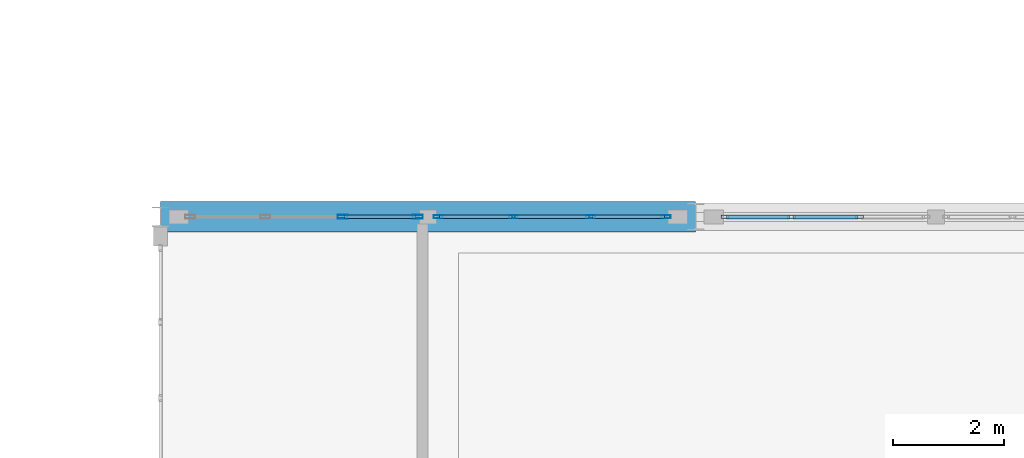
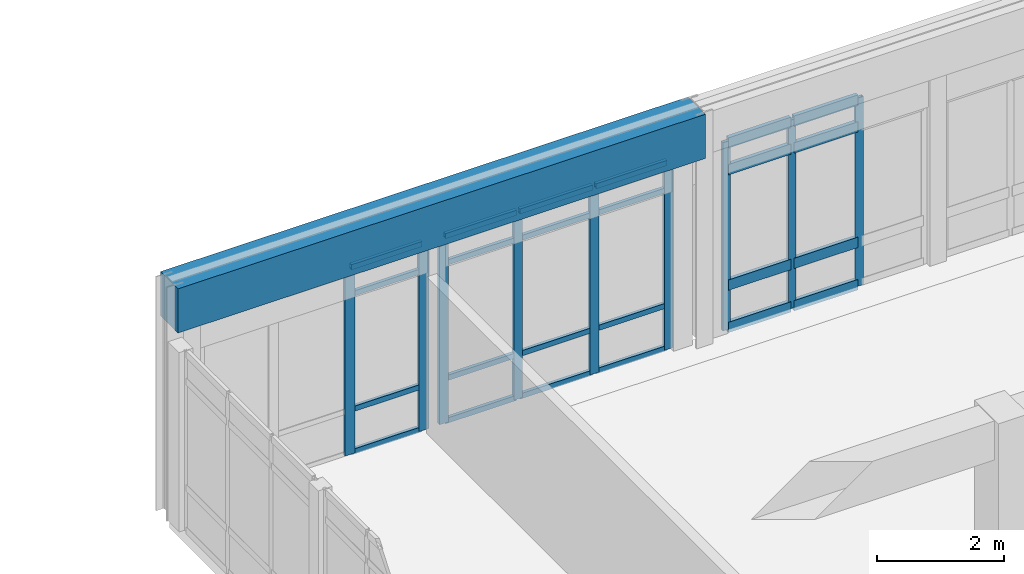
# One storey, part 46 of 80: 33 members, 1 beam, 3 elements without a shape of their own.
"""IFC4 building model written with IfcOpenShell, lengths in metres."""

from ifc_helpers import new_model, si_unit, direction, frame, origin, origin_2d, place, context, subcontext, project, spatial, rectangle, hollow_rectangle, extrude, material, layer, layer_set, material_profile, profile_set, type_object, element, aggregate, save


model = new_model("IFC4")

# Units and contexts
model_context = context("Model", 3, precision=1e-05, world=origin(), true_north=direction((0.0, 1.0)))
body_context = subcontext(model_context, "Body", "Model", "MODEL_VIEW")
ifc_project = project(units=[si_unit("LENGTHUNIT", "METRE"), si_unit("AREAUNIT", "SQUARE_METRE"), si_unit("VOLUMEUNIT", "CUBIC_METRE"), si_unit("PLANEANGLEUNIT", "RADIAN"), si_unit("MASSUNIT", "GRAM", prefix="KILO")], contexts=[model_context])

# Site, building, storey
site_placement = place(None, origin())
site = spatial("IfcSite", under=ifc_project, at=site_placement, CompositionType="ELEMENT")
building_placement = place(site_placement, origin())
building = spatial("IfcBuilding", under=site, at=building_placement, Name="Fikremerkos Civic Library", CompositionType="ELEMENT")
storey_placement = place(building_placement, frame((0.0, 0.0, 9.89990234375)))
storey = spatial("IfcBuildingStorey", under=building, at=storey_placement, Name="L02", CompositionType="ELEMENT", Elevation=9.89990234375)

# Curtain wall, members
ifc_material_1 = material(Name="Anodized aluminium Frame", Category="aluminium")
ifc_layer_1 = layer(ifc_material_1, 0.159912109375, Name="Anodized aluminium Frame")
ifc_layer_set_1 = layer_set([ifc_layer_1], Name="Anodized aluminium Frame")
curtain_wall_type_1 = type_object("IfcCurtainWallType", Name="Unitised curtain wall CW-13 3700x3200", PredefinedType="USERDEFINED", material=ifc_layer_set_1)
curtain_wall_1_placement = place(storey_placement, origin())
curtain_wall_1 = element("IfcCurtainWall", 1, at=curtain_wall_1_placement, inside=storey, type_object=curtain_wall_type_1, Name="Unitised curtain wall CW-13 L02 #175", ObjectType="UNITISED CURTAIN WALL", PredefinedType="USERDEFINED")
ifc_material_profile_1 = material_profile(ifc_material_1, hollow_rectangle(XDim=0.06494140625, YDim=0.179931640625, WallThickness=0.00439453125, at=origin_2d()), Name="ALU 180x65x4.5")
ifc_profile_set_1 = profile_set([ifc_material_profile_1], Name="Anodized aluminium Frame")
member_type_1 = type_object("IfcMemberType", Name="Curtain mullion CWM-01 ALU 180x65x4.5", PredefinedType="MULLION", material=ifc_profile_set_1)
member_1_placement = place(storey_placement, frame((128.06591796875, 40.800048828125, 0.0), z_axis=(0.0, 0.0, 1.0), x_axis=(0.0, 1.0, 0.0)))
member_1 = element("IfcMember", 2, at=member_1_placement, type_object=member_type_1, Name="CW-13 mullion 3", PredefinedType="MULLION", context=body_context, shape_type="SweptSolid", body=[
    extrude(hollow_rectangle(XDim=0.06494140625, YDim=0.179931640625, WallThickness=0.00439453125, at=origin_2d()), origin(), (0.0, 0.0, 1.0), 3.6201171875),
])
member_2_placement = place(storey_placement, frame((129.41748046875, 40.800048828125, 0.0), z_axis=(0.0, 0.0, 1.0), x_axis=(0.0, 1.0, 0.0)))
member_2 = element("IfcMember", 3, at=member_2_placement, type_object=member_type_1, Name="CW-13 mullion 4", PredefinedType="MULLION", context=body_context, shape_type="SweptSolid", body=[
    extrude(hollow_rectangle(XDim=0.06494140625, YDim=0.179931640625, WallThickness=0.00439453125, at=origin_2d()), origin(), (0.0, 0.0, 1.0), 3.6201171875),
])

ifc_layer_2 = layer(ifc_material_1, 0.159912109375, Name="Anodized aluminium Frame")
ifc_layer_set_2 = layer_set([ifc_layer_2], Name="Anodized aluminium Frame")
curtain_wall_type_2 = type_object("IfcCurtainWallType", Name="Unitised curtain wall CW-14 4100x3200", PredefinedType="USERDEFINED", material=ifc_layer_set_2)
curtain_wall_2_placement = place(storey_placement, origin())
curtain_wall_2 = element("IfcCurtainWall", 4, at=curtain_wall_2_placement, inside=storey, type_object=curtain_wall_type_2, Name="Unitised curtain wall CW-14 L02 #176", ObjectType="UNITISED CURTAIN WALL", PredefinedType="USERDEFINED")
ifc_material_profile_2 = material_profile(ifc_material_1, hollow_rectangle(XDim=0.06005859375, YDim=0.159912109375, WallThickness=0.00390625, at=origin_2d()), Name="ALU 160x60x4")
ifc_profile_set_2 = profile_set([ifc_material_profile_2], Name="Anodized aluminium Frame")
member_type_2 = type_object("IfcMemberType", Name="Curtain mullion CWM-02 ALU 160x60x4", PredefinedType="MULLION", material=ifc_profile_set_2)
member_3_placement = place(storey_placement, frame((129.780029296875, 40.800048828125, 0.0), z_axis=(0.0, 0.0, 1.0), x_axis=(0.0, 1.0, 0.0)))
member_3 = element("IfcMember", 5, at=member_3_placement, type_object=member_type_2, Name="CW-14 mullion 1", PredefinedType="MULLION", context=body_context, shape_type="SweptSolid", body=[
    extrude(hollow_rectangle(XDim=0.06005859375, YDim=0.159912109375, WallThickness=0.00390625, at=origin_2d()), origin(), (0.0, 0.0, 1.0), 3.6201171875),
])
member_4_placement = place(storey_placement, frame((131.134033203125, 40.800048828125, 0.0), z_axis=(0.0, 0.0, 1.0), x_axis=(0.0, 1.0, 0.0)))
member_4 = element("IfcMember", 6, at=member_4_placement, type_object=member_type_2, Name="CW-14 mullion 2", PredefinedType="MULLION", context=body_context, shape_type="SweptSolid", body=[
    extrude(hollow_rectangle(XDim=0.06005859375, YDim=0.159912109375, WallThickness=0.00390625, at=origin_2d()), origin(), (0.0, 0.0, 1.0), 3.6201171875),
])
member_5_placement = place(storey_placement, frame((132.51806640625, 40.800048828125, 0.0), z_axis=(0.0, 0.0, 1.0), x_axis=(0.0, 1.0, 0.0)))
member_5 = element("IfcMember", 7, at=member_5_placement, type_object=member_type_2, Name="CW-14 mullion 3", PredefinedType="MULLION", context=body_context, shape_type="SweptSolid", body=[
    extrude(hollow_rectangle(XDim=0.06005859375, YDim=0.159912109375, WallThickness=0.00390625, at=origin_2d()), origin(), (0.0, 0.0, 1.0), 3.6201171875),
])
member_6_placement = place(storey_placement, frame((133.8720703125, 40.800048828125, 0.0), z_axis=(0.0, 0.0, 1.0), x_axis=(0.0, 1.0, 0.0)))
member_6 = element("IfcMember", 8, at=member_6_placement, type_object=member_type_2, Name="CW-14 mullion 4", PredefinedType="MULLION", context=body_context, shape_type="SweptSolid", body=[
    extrude(hollow_rectangle(XDim=0.06005859375, YDim=0.159912109375, WallThickness=0.00390625, at=origin_2d()), origin(), (0.0, 0.0, 1.0), 3.6201171875),
])

ifc_layer_3 = layer(ifc_material_1, 0.159912109375, Name="Anodized aluminium Frame")
ifc_layer_set_3 = layer_set([ifc_layer_3], Name="Anodized aluminium Frame")
curtain_wall_type_3 = type_object("IfcCurtainWallType", Name="Unitised curtain wall CW-15 2900x3600", PredefinedType="USERDEFINED", material=ifc_layer_set_3)
curtain_wall_3_placement = place(storey_placement, origin())
curtain_wall_3 = element("IfcCurtainWall", 9, at=curtain_wall_3_placement, inside=storey, type_object=curtain_wall_type_3, Name="Unitised curtain wall CW-15 L02 #177", ObjectType="UNITISED CURTAIN WALL", PredefinedType="USERDEFINED")
ifc_material_profile_3 = material_profile(ifc_material_1, hollow_rectangle(XDim=0.06005859375, YDim=0.139892578125, WallThickness=0.00390625, at=origin_2d()), Name="ALU 140x60x4")
ifc_profile_set_3 = profile_set([ifc_material_profile_3], Name="Anodized aluminium Frame")
member_type_3 = type_object("IfcMemberType", Name="Curtain mullion CWM-03 ALU 140x60x4", PredefinedType="MULLION", material=ifc_profile_set_3)
member_7_placement = place(storey_placement, frame((134.927978515625, 40.800048828125, 0.0), z_axis=(0.0, 0.0, 1.0), x_axis=(0.0, 1.0, 0.0)))
member_7 = element("IfcMember", 10, at=member_7_placement, type_object=member_type_3, Name="CW-15 mullion 1", PredefinedType="MULLION", context=body_context, shape_type="SweptSolid", body=[
    extrude(hollow_rectangle(XDim=0.06005859375, YDim=0.139892578125, WallThickness=0.00390625, at=origin_2d()), origin(), (0.0, 0.0, 1.0), 3.6201171875),
])
member_8_placement = place(storey_placement, frame((136.12060546875, 40.800048828125, 0.0), z_axis=(0.0, 0.0, 1.0), x_axis=(0.0, 1.0, 0.0)))
member_8 = element("IfcMember", 11, at=member_8_placement, type_object=member_type_3, Name="CW-15 mullion 2", PredefinedType="MULLION", context=body_context, shape_type="SweptSolid", body=[
    extrude(hollow_rectangle(XDim=0.06005859375, YDim=0.139892578125, WallThickness=0.00390625, at=origin_2d()), origin(), (0.0, 0.0, 1.0), 3.6201171875),
])
member_9_placement = place(storey_placement, frame((137.34326171875, 40.800048828125, 0.0), z_axis=(0.0, 0.0, 1.0), x_axis=(0.0, 1.0, 0.0)))
member_9 = element("IfcMember", 12, at=member_9_placement, type_object=member_type_3, Name="CW-15 mullion 3", PredefinedType="MULLION", context=body_context, shape_type="SweptSolid", body=[
    extrude(hollow_rectangle(XDim=0.06005859375, YDim=0.139892578125, WallThickness=0.00390625, at=origin_2d()), origin(), (0.0, 0.0, 1.0), 3.6201171875),
])

# Member
ifc_material_profile_4 = material_profile(ifc_material_1, hollow_rectangle(XDim=0.06005859375, YDim=0.10009765625, WallThickness=0.00390625, at=origin_2d()), Name="ALU 100x60x4")
ifc_profile_set_4 = profile_set([ifc_material_profile_4], Name="Anodized aluminium Frame")
member_type_4 = type_object("IfcMemberType", Name="Curtain transom CWT-03 ALU 100x60x4", PredefinedType="USERDEFINED", material=ifc_profile_set_4)
member_10_placement = place(storey_placement, frame((128.098388671875, 40.800048828125, 0.030029296875), z_axis=(1.0, 0.0, 0.0), x_axis=(0.0, 1.0, 0.0)))
member_10 = element("IfcMember", 13, at=member_10_placement, type_object=member_type_4, Name="CW-13 transom 3.1", ObjectType="TRANSOM", PredefinedType="USERDEFINED", context=body_context, shape_type="SweptSolid", body=[
    extrude(hollow_rectangle(XDim=0.06005859375, YDim=0.10009765625, WallThickness=0.00390625, at=origin_2d()), origin(), (0.0, 0.0, 1.0), 1.28662109375),
])

member_11_placement = place(storey_placement, frame((128.098388671875, 40.800048828125, 0.85009765625), z_axis=(1.0, 0.0, 0.0), x_axis=(0.0, 1.0, 0.0)))
member_11 = element("IfcMember", 14, at=member_11_placement, type_object=member_type_4, Name="CW-13 transom 3.2", ObjectType="TRANSOM", PredefinedType="USERDEFINED", context=body_context, shape_type="SweptSolid", body=[
    extrude(hollow_rectangle(XDim=0.06005859375, YDim=0.10009765625, WallThickness=0.00390625, at=origin_2d()), origin(), (0.0, 0.0, 1.0), 1.28662109375),
])

member_12_placement = place(storey_placement, frame((128.098388671875, 40.800048828125, 3.070068359375), z_axis=(1.0, 0.0, 0.0), x_axis=(0.0, 1.0, 0.0)))
member_12 = element("IfcMember", 15, at=member_12_placement, type_object=member_type_4, Name="CW-13 transom 3.3", ObjectType="TRANSOM", PredefinedType="USERDEFINED", context=body_context, shape_type="SweptSolid", body=[
    extrude(hollow_rectangle(XDim=0.06005859375, YDim=0.10009765625, WallThickness=0.00390625, at=origin_2d()), origin(), (0.0, 0.0, 1.0), 1.28662109375),
])

member_13_placement = place(storey_placement, frame((128.098388671875, 40.800048828125, 3.590087890625), z_axis=(1.0, 0.0, 0.0), x_axis=(0.0, 1.0, 0.0)))
member_13 = element("IfcMember", 16, at=member_13_placement, type_object=member_type_4, Name="CW-13 transom 3.4", ObjectType="TRANSOM", PredefinedType="USERDEFINED", context=body_context, shape_type="SweptSolid", body=[
    extrude(hollow_rectangle(XDim=0.06005859375, YDim=0.10009765625, WallThickness=0.00390625, at=origin_2d()), origin(), (0.0, 0.0, 1.0), 1.28662109375),
])

aggregate(curtain_wall_1, [member_1, member_2, member_10, member_11, member_12, member_13])

member_14_placement = place(storey_placement, frame((129.81005859375, 40.800048828125, 0.030029296875), z_axis=(1.0, 0.0, 0.0), x_axis=(0.0, 1.0, 0.0)))
member_14 = element("IfcMember", 17, at=member_14_placement, type_object=member_type_4, Name="CW-14 transom 1.1", ObjectType="TRANSOM", PredefinedType="USERDEFINED", context=body_context, shape_type="SweptSolid", body=[
    extrude(hollow_rectangle(XDim=0.06005859375, YDim=0.10009765625, WallThickness=0.00390625, at=origin_2d()), origin(), (0.0, 0.0, 1.0), 1.2939453125),
])

member_15_placement = place(storey_placement, frame((129.81005859375, 40.800048828125, 0.85009765625), z_axis=(1.0, 0.0, 0.0), x_axis=(0.0, 1.0, 0.0)))
member_15 = element("IfcMember", 18, at=member_15_placement, type_object=member_type_4, Name="CW-14 transom 1.2", ObjectType="TRANSOM", PredefinedType="USERDEFINED", context=body_context, shape_type="SweptSolid", body=[
    extrude(hollow_rectangle(XDim=0.06005859375, YDim=0.10009765625, WallThickness=0.00390625, at=origin_2d()), origin(), (0.0, 0.0, 1.0), 1.2939453125),
])

member_16_placement = place(storey_placement, frame((129.81005859375, 40.800048828125, 3.070068359375), z_axis=(1.0, 0.0, 0.0), x_axis=(0.0, 1.0, 0.0)))
member_16 = element("IfcMember", 19, at=member_16_placement, type_object=member_type_4, Name="CW-14 transom 1.3", ObjectType="TRANSOM", PredefinedType="USERDEFINED", context=body_context, shape_type="SweptSolid", body=[
    extrude(hollow_rectangle(XDim=0.06005859375, YDim=0.10009765625, WallThickness=0.00390625, at=origin_2d()), origin(), (0.0, 0.0, 1.0), 1.2939453125),
])

member_17_placement = place(storey_placement, frame((129.81005859375, 40.800048828125, 3.590087890625), z_axis=(1.0, 0.0, 0.0), x_axis=(0.0, 1.0, 0.0)))
member_17 = element("IfcMember", 20, at=member_17_placement, type_object=member_type_4, Name="CW-14 transom 1.4", ObjectType="TRANSOM", PredefinedType="USERDEFINED", context=body_context, shape_type="SweptSolid", body=[
    extrude(hollow_rectangle(XDim=0.06005859375, YDim=0.10009765625, WallThickness=0.00390625, at=origin_2d()), origin(), (0.0, 0.0, 1.0), 1.2939453125),
])

member_18_placement = place(storey_placement, frame((131.1640625, 40.800048828125, 0.030029296875), z_axis=(1.0, 0.0, 0.0), x_axis=(0.0, 1.0, 0.0)))
member_18 = element("IfcMember", 21, at=member_18_placement, type_object=member_type_4, Name="CW-14 transom 2.1", ObjectType="TRANSOM", PredefinedType="USERDEFINED", context=body_context, shape_type="SweptSolid", body=[
    extrude(hollow_rectangle(XDim=0.06005859375, YDim=0.10009765625, WallThickness=0.00390625, at=origin_2d()), origin(), (0.0, 0.0, 1.0), 1.323974609375),
])

member_19_placement = place(storey_placement, frame((131.1640625, 40.800048828125, 0.85009765625), z_axis=(1.0, 0.0, 0.0), x_axis=(0.0, 1.0, 0.0)))
member_19 = element("IfcMember", 22, at=member_19_placement, type_object=member_type_4, Name="CW-14 transom 2.2", ObjectType="TRANSOM", PredefinedType="USERDEFINED", context=body_context, shape_type="SweptSolid", body=[
    extrude(hollow_rectangle(XDim=0.06005859375, YDim=0.10009765625, WallThickness=0.00390625, at=origin_2d()), origin(), (0.0, 0.0, 1.0), 1.323974609375),
])

member_20_placement = place(storey_placement, frame((131.1640625, 40.800048828125, 3.070068359375), z_axis=(1.0, 0.0, 0.0), x_axis=(0.0, 1.0, 0.0)))
member_20 = element("IfcMember", 23, at=member_20_placement, type_object=member_type_4, Name="CW-14 transom 2.3", ObjectType="TRANSOM", PredefinedType="USERDEFINED", context=body_context, shape_type="SweptSolid", body=[
    extrude(hollow_rectangle(XDim=0.06005859375, YDim=0.10009765625, WallThickness=0.00390625, at=origin_2d()), origin(), (0.0, 0.0, 1.0), 1.323974609375),
])

member_21_placement = place(storey_placement, frame((131.1640625, 40.800048828125, 3.590087890625), z_axis=(1.0, 0.0, 0.0), x_axis=(0.0, 1.0, 0.0)))
member_21 = element("IfcMember", 24, at=member_21_placement, type_object=member_type_4, Name="CW-14 transom 2.4", ObjectType="TRANSOM", PredefinedType="USERDEFINED", context=body_context, shape_type="SweptSolid", body=[
    extrude(hollow_rectangle(XDim=0.06005859375, YDim=0.10009765625, WallThickness=0.00390625, at=origin_2d()), origin(), (0.0, 0.0, 1.0), 1.323974609375),
])

member_22_placement = place(storey_placement, frame((132.548095703125, 40.800048828125, 0.030029296875), z_axis=(1.0, 0.0, 0.0), x_axis=(0.0, 1.0, 0.0)))
member_22 = element("IfcMember", 25, at=member_22_placement, type_object=member_type_4, Name="CW-14 transom 3.1", ObjectType="TRANSOM", PredefinedType="USERDEFINED", context=body_context, shape_type="SweptSolid", body=[
    extrude(hollow_rectangle(XDim=0.06005859375, YDim=0.10009765625, WallThickness=0.00390625, at=origin_2d()), origin(), (0.0, 0.0, 1.0), 1.2939453125),
])

member_23_placement = place(storey_placement, frame((132.548095703125, 40.800048828125, 0.85009765625), z_axis=(1.0, 0.0, 0.0), x_axis=(0.0, 1.0, 0.0)))
member_23 = element("IfcMember", 26, at=member_23_placement, type_object=member_type_4, Name="CW-14 transom 3.2", ObjectType="TRANSOM", PredefinedType="USERDEFINED", context=body_context, shape_type="SweptSolid", body=[
    extrude(hollow_rectangle(XDim=0.06005859375, YDim=0.10009765625, WallThickness=0.00390625, at=origin_2d()), origin(), (0.0, 0.0, 1.0), 1.2939453125),
])

member_24_placement = place(storey_placement, frame((132.548095703125, 40.800048828125, 3.070068359375), z_axis=(1.0, 0.0, 0.0), x_axis=(0.0, 1.0, 0.0)))
member_24 = element("IfcMember", 27, at=member_24_placement, type_object=member_type_4, Name="CW-14 transom 3.3", ObjectType="TRANSOM", PredefinedType="USERDEFINED", context=body_context, shape_type="SweptSolid", body=[
    extrude(hollow_rectangle(XDim=0.06005859375, YDim=0.10009765625, WallThickness=0.00390625, at=origin_2d()), origin(), (0.0, 0.0, 1.0), 1.2939453125),
])

member_25_placement = place(storey_placement, frame((132.548095703125, 40.800048828125, 3.590087890625), z_axis=(1.0, 0.0, 0.0), x_axis=(0.0, 1.0, 0.0)))
member_25 = element("IfcMember", 28, at=member_25_placement, type_object=member_type_4, Name="CW-14 transom 3.4", ObjectType="TRANSOM", PredefinedType="USERDEFINED", context=body_context, shape_type="SweptSolid", body=[
    extrude(hollow_rectangle(XDim=0.06005859375, YDim=0.10009765625, WallThickness=0.00390625, at=origin_2d()), origin(), (0.0, 0.0, 1.0), 1.2939453125),
])

aggregate(curtain_wall_2, [member_3, member_4, member_5, member_6, member_14, member_15, member_16, member_17, member_18, member_19, member_20, member_21, member_22, member_23, member_24, member_25])

ifc_material_profile_5 = material_profile(ifc_material_1, hollow_rectangle(XDim=0.070068359375, YDim=0.199951171875, WallThickness=0.0048828125, at=origin_2d()), Name="ALU 200x70x5")
ifc_profile_set_5 = profile_set([ifc_material_profile_5], Name="Anodized aluminium Frame")
member_type_5 = type_object("IfcMemberType", Name="Curtain transom CWT-04 ALU 200x70x5", PredefinedType="USERDEFINED", material=ifc_profile_set_5)
member_26_placement = place(storey_placement, frame((134.9580078125, 40.800048828125, 0.03515625), z_axis=(1.0, 0.0, 0.0), x_axis=(0.0, 1.0, 0.0)))
member_26 = element("IfcMember", 29, at=member_26_placement, type_object=member_type_5, Name="CW-15 transom 1.1", ObjectType="TRANSOM", PredefinedType="USERDEFINED", context=body_context, shape_type="SweptSolid", body=[
    extrude(hollow_rectangle(XDim=0.070068359375, YDim=0.199951171875, WallThickness=0.0048828125, at=origin_2d()), origin(), (0.0, 0.0, 1.0), 1.132568359375),
])

member_27_placement = place(storey_placement, frame((134.9580078125, 40.800048828125, 0.85009765625), z_axis=(1.0, 0.0, 0.0), x_axis=(0.0, 1.0, 0.0)))
member_27 = element("IfcMember", 30, at=member_27_placement, type_object=member_type_5, Name="CW-15 transom 1.2", ObjectType="TRANSOM", PredefinedType="USERDEFINED", context=body_context, shape_type="SweptSolid", body=[
    extrude(hollow_rectangle(XDim=0.070068359375, YDim=0.199951171875, WallThickness=0.0048828125, at=origin_2d()), origin(), (0.0, 0.0, 1.0), 1.132568359375),
])

member_28_placement = place(storey_placement, frame((134.9580078125, 40.800048828125, 3.070068359375), z_axis=(1.0, 0.0, 0.0), x_axis=(0.0, 1.0, 0.0)))
member_28 = element("IfcMember", 31, at=member_28_placement, type_object=member_type_5, Name="CW-15 transom 1.3", ObjectType="TRANSOM", PredefinedType="USERDEFINED", context=body_context, shape_type="SweptSolid", body=[
    extrude(hollow_rectangle(XDim=0.070068359375, YDim=0.199951171875, WallThickness=0.0048828125, at=origin_2d()), origin(), (0.0, 0.0, 1.0), 1.132568359375),
])

member_29_placement = place(storey_placement, frame((134.9580078125, 40.800048828125, 3.585205078125), z_axis=(1.0, 0.0, 0.0), x_axis=(0.0, 1.0, 0.0)))
member_29 = element("IfcMember", 32, at=member_29_placement, type_object=member_type_5, Name="CW-15 transom 1.4", ObjectType="TRANSOM", PredefinedType="USERDEFINED", context=body_context, shape_type="SweptSolid", body=[
    extrude(hollow_rectangle(XDim=0.070068359375, YDim=0.199951171875, WallThickness=0.0048828125, at=origin_2d()), origin(), (0.0, 0.0, 1.0), 1.132568359375),
])

member_30_placement = place(storey_placement, frame((136.150634765625, 40.800048828125, 0.03515625), z_axis=(1.0, 0.0, 0.0), x_axis=(0.0, 1.0, 0.0)))
member_30 = element("IfcMember", 33, at=member_30_placement, type_object=member_type_5, Name="CW-15 transom 2.1", ObjectType="TRANSOM", PredefinedType="USERDEFINED", context=body_context, shape_type="SweptSolid", body=[
    extrude(hollow_rectangle(XDim=0.070068359375, YDim=0.199951171875, WallThickness=0.0048828125, at=origin_2d()), origin(), (0.0, 0.0, 1.0), 1.16259765625),
])

member_31_placement = place(storey_placement, frame((136.150634765625, 40.800048828125, 0.85009765625), z_axis=(1.0, 0.0, 0.0), x_axis=(0.0, 1.0, 0.0)))
member_31 = element("IfcMember", 34, at=member_31_placement, type_object=member_type_5, Name="CW-15 transom 2.2", ObjectType="TRANSOM", PredefinedType="USERDEFINED", context=body_context, shape_type="SweptSolid", body=[
    extrude(hollow_rectangle(XDim=0.070068359375, YDim=0.199951171875, WallThickness=0.0048828125, at=origin_2d()), origin(), (0.0, 0.0, 1.0), 1.16259765625),
])

member_32_placement = place(storey_placement, frame((136.150634765625, 40.800048828125, 3.070068359375), z_axis=(1.0, 0.0, 0.0), x_axis=(0.0, 1.0, 0.0)))
member_32 = element("IfcMember", 35, at=member_32_placement, type_object=member_type_5, Name="CW-15 transom 2.3", ObjectType="TRANSOM", PredefinedType="USERDEFINED", context=body_context, shape_type="SweptSolid", body=[
    extrude(hollow_rectangle(XDim=0.070068359375, YDim=0.199951171875, WallThickness=0.0048828125, at=origin_2d()), origin(), (0.0, 0.0, 1.0), 1.16259765625),
])

member_33_placement = place(storey_placement, frame((136.150634765625, 40.800048828125, 3.585205078125), z_axis=(1.0, 0.0, 0.0), x_axis=(0.0, 1.0, 0.0)))
member_33 = element("IfcMember", 36, at=member_33_placement, type_object=member_type_5, Name="CW-15 transom 2.4", ObjectType="TRANSOM", PredefinedType="USERDEFINED", context=body_context, shape_type="SweptSolid", body=[
    extrude(hollow_rectangle(XDim=0.070068359375, YDim=0.199951171875, WallThickness=0.0048828125, at=origin_2d()), origin(), (0.0, 0.0, 1.0), 1.16259765625),
])

aggregate(curtain_wall_3, [member_7, member_8, member_9, member_26, member_27, member_28, member_29, member_30, member_31, member_32, member_33])

# Beam
ifc_material_2 = material(Name="Concrete C40/50", Category="concrete")
ifc_material_profile_6 = material_profile(ifc_material_2, rectangle(XDim=0.550048828125, YDim=0.85009765625, at=origin_2d()), Name="RC 550x850")
ifc_profile_set_6 = profile_set([ifc_material_profile_6], Name="Concrete C40/50")
beam_type = type_object("IfcBeamType", Name="Primary girder BM-03 RC 550x850", PredefinedType="BEAM", material=ifc_profile_set_6)
beam_placement = place(storey_placement, frame((124.800048828125, 40.800048828125, 4.05517578125), z_axis=(1.0, 0.0, 0.0), x_axis=(0.0, 1.0, 0.0)))
element("IfcBeam", 37, at=beam_placement, inside=storey, type_object=beam_type, Name="Primary girder BM-03 L02 grid H", PredefinedType="BEAM", context=body_context, shape_type="SweptSolid", body=[
    extrude(rectangle(XDim=0.550048828125, YDim=0.85009765625, at=origin_2d()), origin(), (0.0, 0.0, 1.0), 9.599853515625),
])

save(model, "model.ifc")
